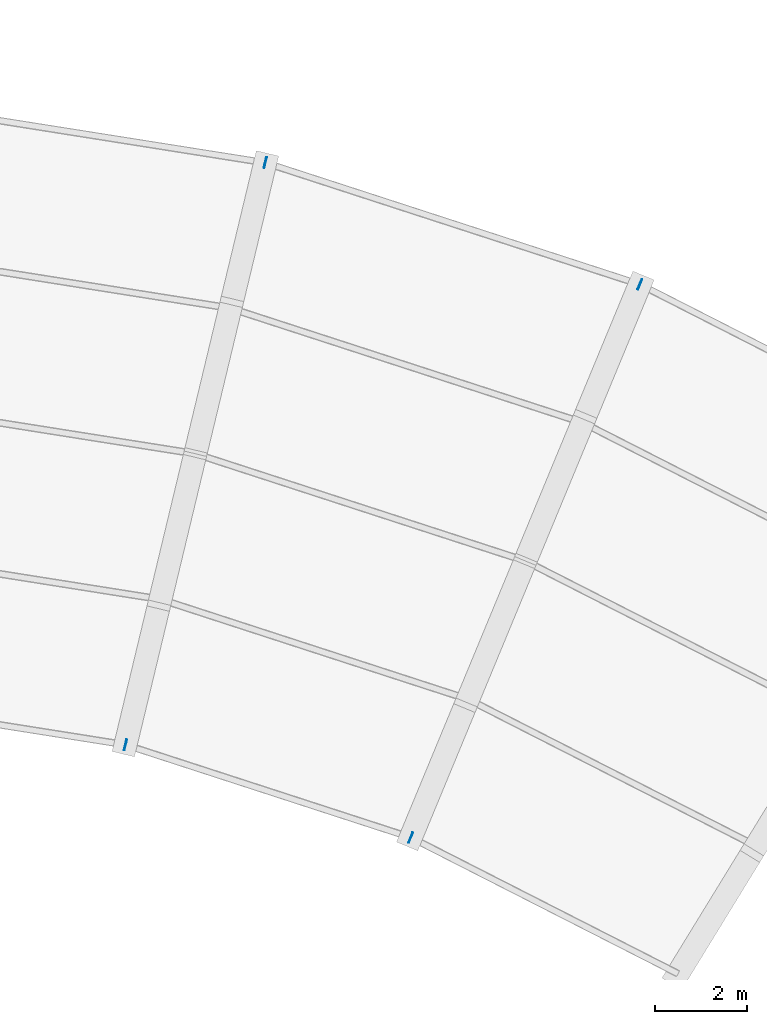
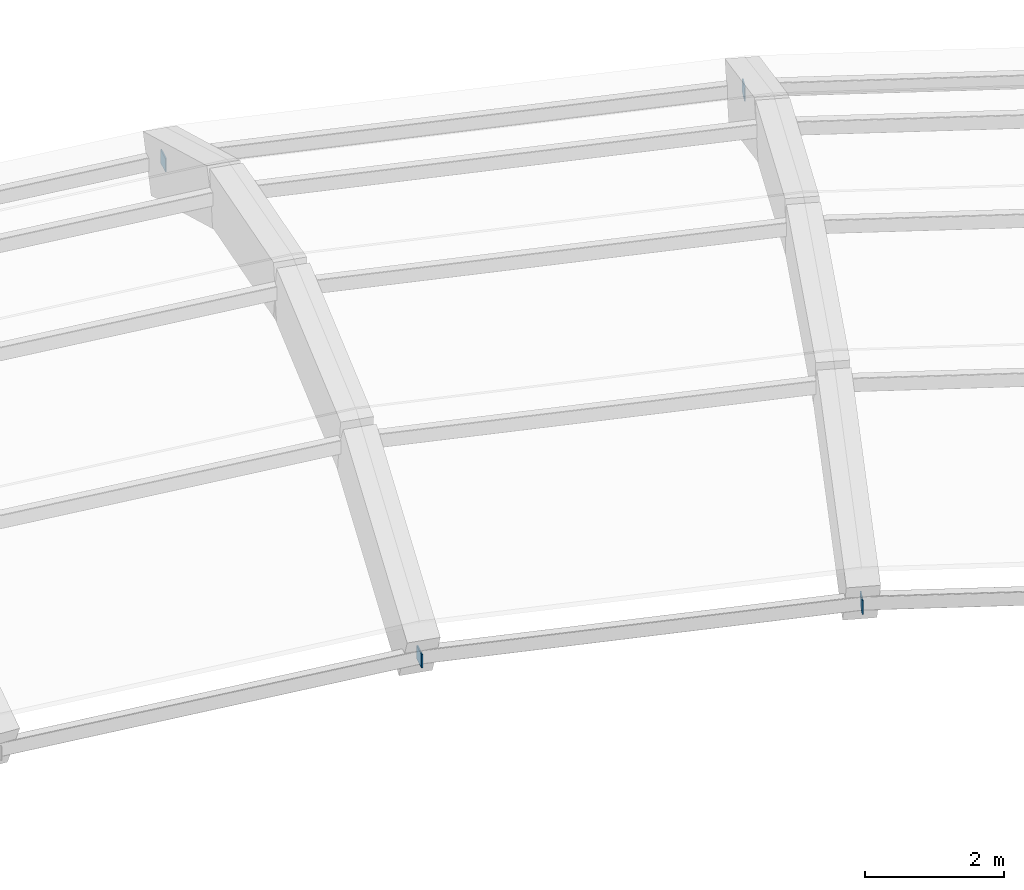
# One storey, part 12 of 18: 4 plates.
"""IFC4 building model written with IfcOpenShell, lengths in metres."""

from ifc_helpers import new_model, si_unit, direction, frame, origin, origin_2d, place, context, subcontext, project, spatial, rectangle, extrude, material, layer, layer_set, type_object, element, save


model = new_model("IFC4")

# Units and contexts
model_context = context("Model", 3, precision=1e-05, world=origin(), true_north=direction((0.0, 1.0)))
body_context = subcontext(model_context, "Body", "Model", "MODEL_VIEW")
ifc_project = project(units=[si_unit("LENGTHUNIT", "METRE"), si_unit("AREAUNIT", "SQUARE_METRE"), si_unit("VOLUMEUNIT", "CUBIC_METRE"), si_unit("PLANEANGLEUNIT", "RADIAN"), si_unit("MASSUNIT", "GRAM", prefix="KILO")], contexts=[model_context])

# Site, building, storey
site_placement = place(None, origin())
site = spatial("IfcSite", under=ifc_project, at=site_placement, CompositionType="ELEMENT")
building_placement = place(site_placement, origin())
building = spatial("IfcBuilding", under=site, at=building_placement, Name="Miralva Faculty of Natural Sciences", CompositionType="ELEMENT")
storey_placement = place(building_placement, frame((0.0, 0.0, 28.5)))
storey = spatial("IfcBuildingStorey", under=building, at=storey_placement, Name="L06", CompositionType="ELEMENT", Elevation=28.5)

# Plates
ifc_material = material(Name="Steel S355", Category="steel")
ifc_layer = layer(ifc_material, 0.02490234375, Name="PLT-BP02")
ifc_layer_set = layer_set([ifc_layer], Name="Steel S355")
plate_type = type_object("IfcPlateType", Name="PLT-BP02", PredefinedType="SHEET", material=ifc_layer_set)
for number, where, z_axis, x_axis, name in (
    (1, (99.68798828125, 19.353515625, 1.06494140625), (0.0, 0.0, 1.0), (0.233445363856, 0.972369920398, 0.0), "Shell truss diagonal gusset plate 06-2"),
    (2, (102.722900390625, 31.994140625, 1.06494140625), (0.0, 0.0, 1.0), (0.233445363856, 0.972369920398, 0.0), "Shell truss diagonal gusset plate 06-4"),
    (3, (105.88134765625, 17.341064453125, 1.06494140625), (0.0, 0.0, 1.0), (0.382683432365, 0.923879532511, 0.0), "Shell truss diagonal gusset plate 07-2"),
    (4, (110.856201171875, 29.351318359375, 1.06494140625), (0.0, 0.0, 1.0), (0.382683432365, 0.923879532511, 0.0), "Shell truss diagonal gusset plate 07-4"),
):
    element("IfcPlate", number, at=place(storey_placement, frame(where, z_axis=z_axis, x_axis=x_axis)), inside=storey, type_object=plate_type, Name=name, PredefinedType="SHEET", context=body_context, shape_type="SweptSolid", body=[
        extrude(rectangle(XDim=0.239990234375, YDim=0.02001953125, at=origin_2d()), origin(), (0.0, 0.0, 1.0), 0.239990234375),
    ])

save(model, "model.ifc")
